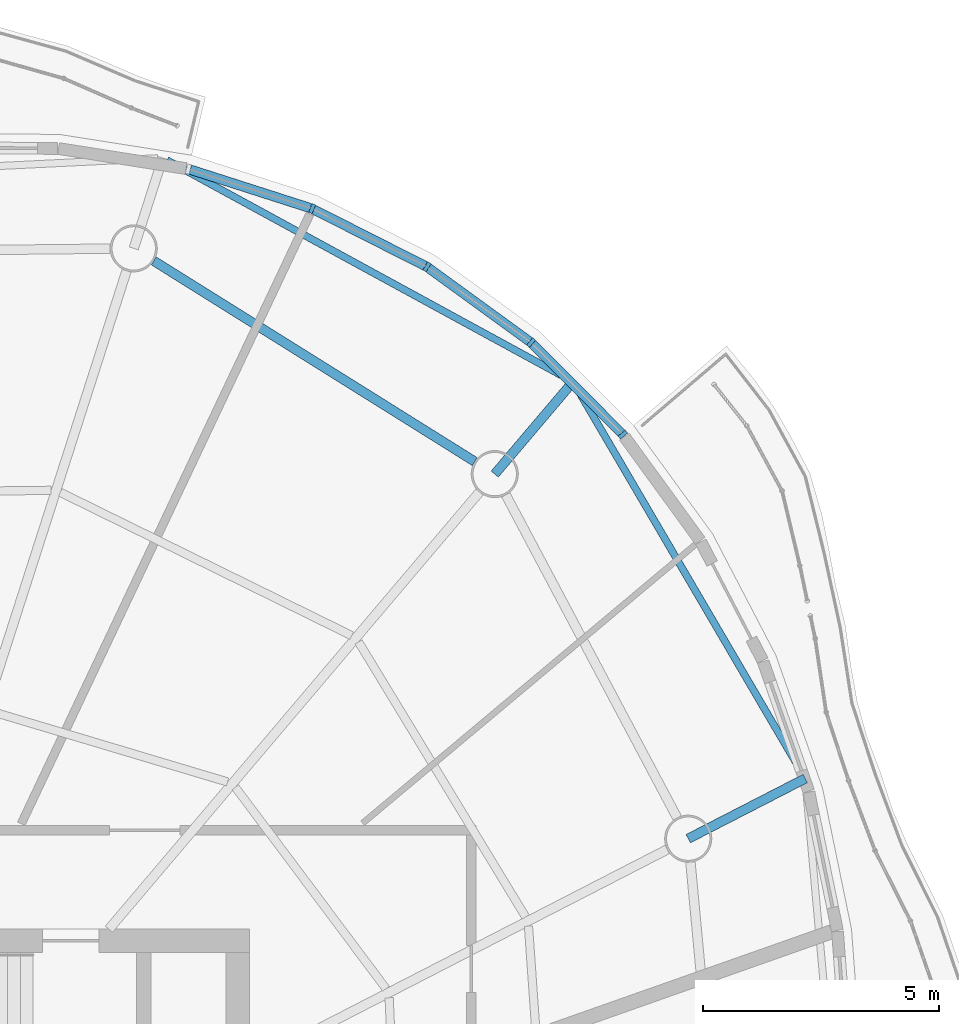
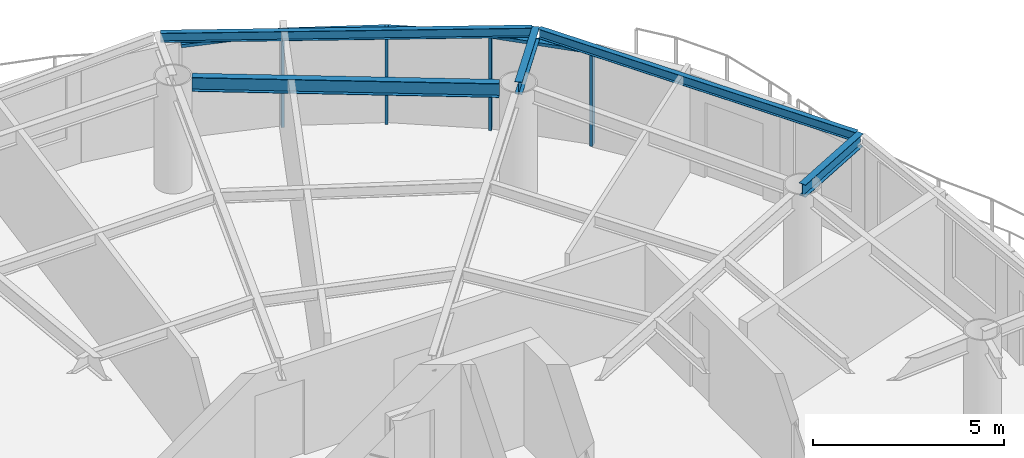
# One storey, part 6 of 14: 8 members, 5 beams, 4 elements without a shape of their own.
"""IFC4 building model written with IfcOpenShell, lengths in metres."""

from ifc_helpers import new_model, si_unit, direction, frame, origin, origin_2d, place, context, subcontext, project, spatial, rectangle, i_section, extrude, material, material_profile, profile_set, type_object, element, aggregate, save


model = new_model("IFC4")

# Units and contexts
model_context = context("Model", 3, precision=1e-05, world=origin(), true_north=direction((0.0, 1.0)))
body_context = subcontext(model_context, "Body", "Model", "MODEL_VIEW")
ifc_project = project(units=[si_unit("LENGTHUNIT", "METRE"), si_unit("AREAUNIT", "SQUARE_METRE"), si_unit("VOLUMEUNIT", "CUBIC_METRE"), si_unit("PLANEANGLEUNIT", "RADIAN"), si_unit("MASSUNIT", "GRAM", prefix="KILO")], contexts=[model_context])

# Site, building, storey
site_placement = place(None, origin())
site = spatial("IfcSite", under=ifc_project, at=site_placement, CompositionType="ELEMENT")
building_placement = place(site_placement, origin())
building = spatial("IfcBuilding", under=site, at=building_placement, Name="Vermilion Reach Broadcast Tower", CompositionType="ELEMENT")
storey_placement = place(building_placement, frame((0.0, 0.0, 268.5)))
storey = spatial("IfcBuildingStorey", under=building, at=storey_placement, Name="L66", CompositionType="ELEMENT", Elevation=268.5)

# Beams
ifc_material_1 = material(Name="Steel S355J2", Category="steel")
ifc_material_profile_1 = material_profile(ifc_material_1, i_section(OverallWidth=0.14990234375, OverallDepth=0.300048828125, WebThickness=0.006591796875, FlangeThickness=0.009033203125, at=origin_2d()), Name="S355J2 HN 300x150x6.5x9")
ifc_profile_set_1 = profile_set([ifc_material_profile_1], Name="Steel S355J2")
beam_type_1 = type_object("IfcBeamType", Name="EB5 HN 300x150x6.5x9", PredefinedType="BEAM", material=ifc_profile_set_1)
beam_1_placement = place(storey_placement, frame((15.337890625, 11.08349609375, 3.300048828125), z_axis=(-0.505035693292, 0.863098458174, 0.0), x_axis=(-0.863098458174, -0.505035693292, 0.0)))
element("IfcBeam", 1, at=beam_1_placement, inside=storey, type_object=beam_type_1, Name="Edge beam EB5-15", PredefinedType="BEAM", context=body_context, shape_type="SweptSolid", body=[
    extrude(i_section(OverallWidth=0.14990234375, OverallDepth=0.300048828125, WebThickness=0.006591796875, FlangeThickness=0.009033203125, at=origin_2d()), origin(), (0.0, 0.0, 1.0), 9.5498046875),
])
beam_2_placement = place(storey_placement, frame((10.371826171875, 19.466552734375, 3.300048828125), z_axis=(-0.877919584197, 0.47880810737, 0.0), x_axis=(-0.47880810737, -0.877919584197, 0.0)))
element("IfcBeam", 2, at=beam_2_placement, inside=storey, type_object=beam_type_1, Name="Edge beam EB5-16", PredefinedType="BEAM", context=body_context, shape_type="SweptSolid", body=[
    extrude(i_section(OverallWidth=0.14990234375, OverallDepth=0.300048828125, WebThickness=0.006591796875, FlangeThickness=0.009033203125, at=origin_2d()), origin(), (0.0, 0.0, 1.0), 9.7138671875),
])
ifc_material_2 = material(Name="Steel S355J2", Category="steel")
ifc_material_profile_2 = material_profile(ifc_material_2, i_section(OverallWidth=0.199951171875, OverallDepth=0.39990234375, WebThickness=0.008056640625, FlangeThickness=0.012939453125, at=origin_2d()), Name="S355J2 HN 400x200x8x13")
ifc_profile_set_2 = profile_set([ifc_material_profile_2], Name="Steel S355J2")
beam_type_2 = type_object("IfcBeamType", Name="GC5 HN 400x200x8x13", PredefinedType="BEAM", material=ifc_profile_set_2)
beam_3_placement = place(storey_placement, frame((12.905517578125, 9.72021484375, 3.25), z_axis=(0.889351807107, 0.457223537446, 0.0), x_axis=(-0.457223537446, 0.889351807107, 0.0)))
element("IfcBeam", 3, at=beam_3_placement, inside=storey, type_object=beam_type_2, Name="Cantilever girder GC5-15", PredefinedType="BEAM", context=body_context, shape_type="SweptSolid", body=[
    extrude(i_section(OverallWidth=0.199951171875, OverallDepth=0.39990234375, WebThickness=0.008056640625, FlangeThickness=0.012939453125, at=origin_2d()), origin(), (0.0, 0.0, 1.0), 2.7919921875),
])
beam_4_placement = place(storey_placement, frame((8.799560546875, 17.457275390625, 3.25), z_axis=(0.646674437555, 0.762766131795, 0.0), x_axis=(-0.762766131795, 0.646674437555, 0.0)))
element("IfcBeam", 4, at=beam_4_placement, inside=storey, type_object=beam_type_2, Name="Cantilever girder GC5-16", PredefinedType="BEAM", context=body_context, shape_type="SweptSolid", body=[
    extrude(i_section(OverallWidth=0.199951171875, OverallDepth=0.39990234375, WebThickness=0.008056640625, FlangeThickness=0.012939453125, at=origin_2d()), origin(), (0.0, 0.0, 1.0), 2.56982421875),
])
ifc_material_3 = material(Name="Steel S355J2", Category="steel")
ifc_material_profile_3 = material_profile(ifc_material_3, i_section(OverallWidth=0.199951171875, OverallDepth=0.449951171875, WebThickness=0.009033203125, FlangeThickness=0.013916015625, at=origin_2d()), Name="S355J2 HN 450x200x9x14")
ifc_profile_set_3 = profile_set([ifc_material_profile_3], Name="Steel S355J2")
beam_type_3 = type_object("IfcBeamType", Name="RB5 HN 450x200x9x14", PredefinedType="BEAM", material=ifc_profile_set_3)
beam_5_placement = place(storey_placement, frame((8.375732421875, 17.722412109375, 3.22509765625), z_axis=(-0.847914653245, 0.530132757724, 0.0), x_axis=(-0.530132757724, -0.847914653245, 0.0)))
element("IfcBeam", 5, at=beam_5_placement, inside=storey, type_object=beam_type_3, Name="Ring beam RB5-16", PredefinedType="BEAM", context=body_context, shape_type="SweptSolid", body=[
    extrude(i_section(OverallWidth=0.199951171875, OverallDepth=0.449951171875, WebThickness=0.009033203125, FlangeThickness=0.013916015625, at=origin_2d()), origin(), (0.0, 0.0, 1.0), 8.035400390625),
])

# Curtain wall, member
ifc_material_4 = material(Name="Low-e laminated clear glass in aluminium frame", Category="aluminium")
curtain_wall_type = type_object("IfcCurtainWallType", Name="Slot curtain wall", PredefinedType="NOTDEFINED", material=ifc_material_4)
placement = place(storey_placement, origin())
curtain_wall_1 = element("IfcCurtainWall", 6, at=placement, inside=storey, type_object=curtain_wall_type, Name="Slot curtain wall L66 46", PredefinedType="NOTDEFINED")
ifc_material_5 = material(Name="Anodised aluminium", Category="aluminium")
ifc_material_profile_4 = material_profile(ifc_material_5, rectangle(XDim=0.199951171875, YDim=0.080078125, at=origin_2d()), Name="Slot mullion 80 x 200")
ifc_profile_set_4 = profile_set([ifc_material_profile_4], Name="Anodised aluminium")
member_type_1 = type_object("IfcMemberType", Name="Slot mullion 80 x 200", PredefinedType="MULLION", material=ifc_profile_set_4)
member_1_placement = place(storey_placement, frame((11.51806640625, 18.295654296875, 0.0), z_axis=(0.0, 0.0, 1.0), x_axis=(-0.760558751255, -0.649269116691, 0.0)))
member_1 = element("IfcMember", 7, at=member_1_placement, type_object=member_type_1, Name="Slot mullion L66 46", PredefinedType="MULLION", context=body_context, shape_type="SweptSolid", body=[
    extrude(rectangle(XDim=0.199951171875, YDim=0.080078125, at=origin_2d()), origin(), (0.0, 0.0, 1.0), 3.050048828125),
])

curtain_wall_2 = element("IfcCurtainWall", 8, at=placement, inside=storey, type_object=curtain_wall_type, Name="Slot curtain wall L66 47", PredefinedType="NOTDEFINED")
member_2_placement = place(storey_placement, frame((9.57177734375, 20.247802734375, 0.0), z_axis=(0.0, 0.0, 1.0), x_axis=(-0.650096862969, -0.759851346487, 0.0)))
member_2 = element("IfcMember", 9, at=member_2_placement, type_object=member_type_1, Name="Slot mullion L66 47", PredefinedType="MULLION", context=body_context, shape_type="SweptSolid", body=[
    extrude(rectangle(XDim=0.199951171875, YDim=0.080078125, at=origin_2d()), origin(), (0.0, 0.0, 1.0), 3.050048828125),
])

curtain_wall_3 = element("IfcCurtainWall", 10, at=placement, inside=storey, type_object=curtain_wall_type, Name="Slot curtain wall L66 00", PredefinedType="NOTDEFINED")
member_3_placement = place(storey_placement, frame((7.361083984375, 21.854736328125, 0.0), z_axis=(0.0, 0.0, 1.0), x_axis=(-0.521605382234, -0.853186864189, 0.0)))
member_3 = element("IfcMember", 11, at=member_3_placement, type_object=member_type_1, Name="Slot mullion L66 00", PredefinedType="MULLION", context=body_context, shape_type="SweptSolid", body=[
    extrude(rectangle(XDim=0.199951171875, YDim=0.080078125, at=origin_2d()), origin(), (0.0, 0.0, 1.0), 3.050048828125),
])

curtain_wall_4 = element("IfcCurtainWall", 12, at=placement, inside=storey, type_object=curtain_wall_type, Name="Slot curtain wall L66 01", PredefinedType="NOTDEFINED")
member_4_placement = place(storey_placement, frame((4.923095703125, 23.08984375, 0.0), z_axis=(0.0, 0.0, 1.0), x_axis=(-0.379958126314, -0.925003687694, 0.0)))
member_4 = element("IfcMember", 13, at=member_4_placement, type_object=member_type_1, Name="Slot mullion L66 01", PredefinedType="MULLION", context=body_context, shape_type="SweptSolid", body=[
    extrude(rectangle(XDim=0.199951171875, YDim=0.080078125, at=origin_2d()), origin(), (0.0, 0.0, 1.0), 3.050048828125),
])

# Member
ifc_material_6 = material(Name="Anodised aluminium", Category="aluminium")
ifc_material_profile_5 = material_profile(ifc_material_6, rectangle(XDim=0.199951171875, YDim=0.10009765625, at=origin_2d()), Name="Slot transom 200 x 100")
ifc_profile_set_5 = profile_set([ifc_material_profile_5], Name="Anodised aluminium")
member_type_2 = type_object("IfcMemberType", Name="Slot transom 200 x 100", PredefinedType="USERDEFINED", material=ifc_profile_set_5)
member_5_placement = place(storey_placement, frame((11.489990234375, 18.323974609375, 3.0), z_axis=(-0.706057087501, 0.70815491892, 0.0), x_axis=(-0.70815491892, -0.706057087501, 0.0)))
member_5 = element("IfcMember", 14, at=member_5_placement, type_object=member_type_2, Name="Slot transom L66 46.1", ObjectType="TRANSOM", PredefinedType="USERDEFINED", context=body_context, shape_type="SweptSolid", body=[
    extrude(rectangle(XDim=0.199951171875, YDim=0.10009765625, at=origin_2d()), origin(), (0.0, 0.0, 1.0), 2.6767578125),
])

aggregate(curtain_wall_1, [member_1, member_5])

member_6_placement = place(storey_placement, frame((9.53955078125, 20.271240234375, 3.0), z_axis=(-0.808855444891, 0.588007541849, 0.0), x_axis=(-0.588007541849, -0.808855444891, 0.0)))
member_6 = element("IfcMember", 15, at=member_6_placement, type_object=member_type_2, Name="Slot transom L66 47.1", ObjectType="TRANSOM", PredefinedType="USERDEFINED", context=body_context, shape_type="SweptSolid", body=[
    extrude(rectangle(XDim=0.199951171875, YDim=0.10009765625, at=origin_2d()), origin(), (0.0, 0.0, 1.0), 2.653076171875),
])

aggregate(curtain_wall_2, [member_2, member_6])

member_7_placement = place(storey_placement, frame((7.325439453125, 21.872802734375, 3.0), z_axis=(-0.892059024373, 0.451918905374, 0.0), x_axis=(-0.451918905374, -0.892059024373, 0.0)))
member_7 = element("IfcMember", 16, at=member_7_placement, type_object=member_type_2, Name="Slot transom L66 00.1", ObjectType="TRANSOM", PredefinedType="USERDEFINED", context=body_context, shape_type="SweptSolid", body=[
    extrude(rectangle(XDim=0.199951171875, YDim=0.10009765625, at=origin_2d()), origin(), (0.0, 0.0, 1.0), 2.653076171875),
])

aggregate(curtain_wall_3, [member_3, member_7])

member_8_placement = place(storey_placement, frame((4.885009765625, 23.10205078125, 3.0), z_axis=(-0.952171761366, 0.305563310717, 0.0), x_axis=(-0.305563310717, -0.952171761366, 0.0)))
member_8 = element("IfcMember", 17, at=member_8_placement, type_object=member_type_2, Name="Slot transom L66 01.1", ObjectType="TRANSOM", PredefinedType="USERDEFINED", context=body_context, shape_type="SweptSolid", body=[
    extrude(rectangle(XDim=0.199951171875, YDim=0.10009765625, at=origin_2d()), origin(), (0.0, 0.0, 1.0), 2.676513671875),
])

aggregate(curtain_wall_4, [member_4, member_8])

save(model, "model.ifc")
